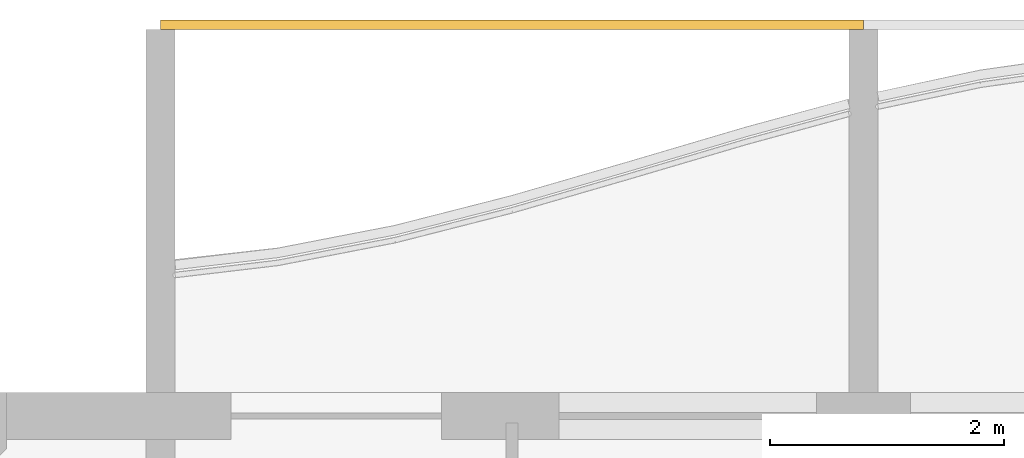
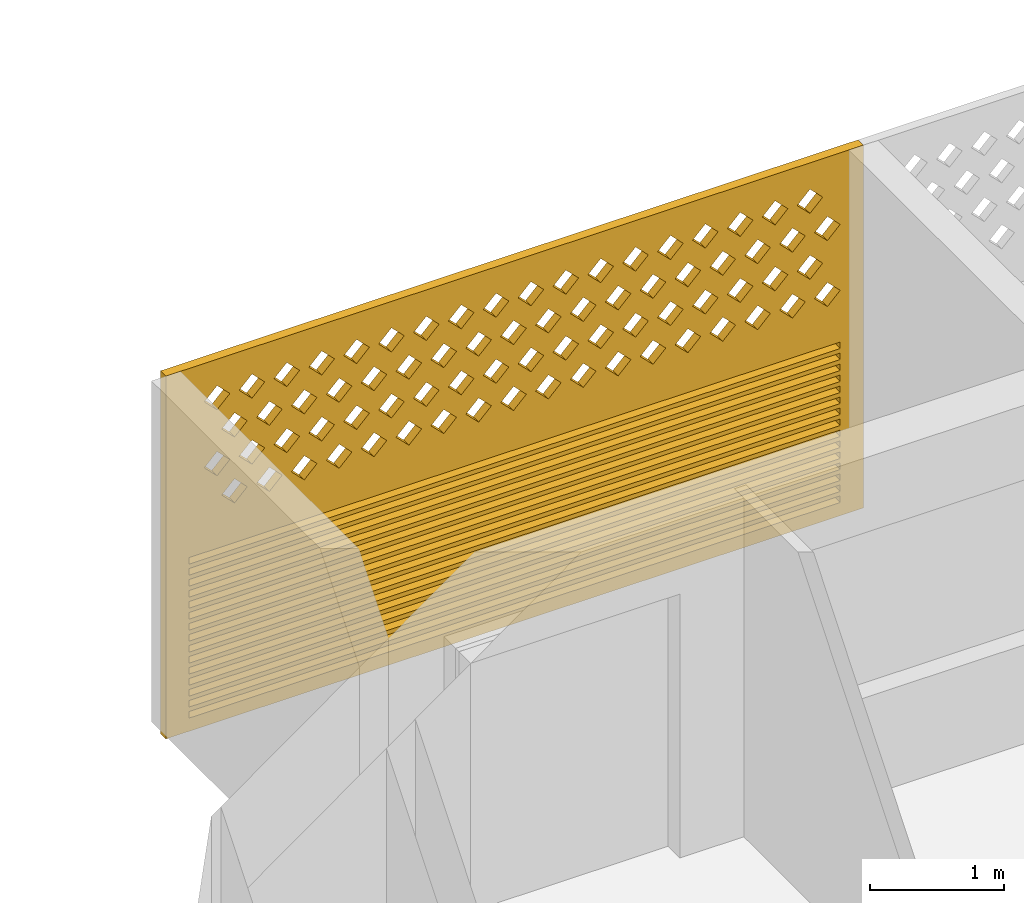
# One storey, part 16 of 28: 1 covering.
"""IFC4 building model written with IfcOpenShell, lengths in metres."""

from ifc_helpers import new_model, si_unit, direction, frame, origin, place, context, subcontext, project, spatial, polyline, outline, extrude, source, transform, mapped, material, material_profile, profile_set, type_object, element, save


model = new_model("IFC4")

# Units and contexts
model_context = context("Model", 3, precision=1e-05, world=origin(), true_north=direction((0.0, 1.0)))
body_context = subcontext(model_context, "Body", "Model", "MODEL_VIEW")
ifc_project = project(units=[si_unit("LENGTHUNIT", "METRE"), si_unit("AREAUNIT", "SQUARE_METRE"), si_unit("VOLUMEUNIT", "CUBIC_METRE"), si_unit("PLANEANGLEUNIT", "RADIAN"), si_unit("MASSUNIT", "GRAM", prefix="KILO")], contexts=[model_context])

# Site, building, storey
site_placement = place(None, origin())
site = spatial("IfcSite", under=ifc_project, at=site_placement, CompositionType="ELEMENT")
building_placement = place(site_placement, origin())
building = spatial("IfcBuilding", under=site, at=building_placement, Name="Poui Terraces", CompositionType="ELEMENT")
storey_placement = place(building_placement, frame((0.0, 0.0, 185.10009765625)))
storey = spatial("IfcBuildingStorey", under=building, at=storey_placement, Name="L51", CompositionType="ELEMENT", Elevation=185.10009765625)

# Covering
ifc_material = material(Name="Terracotta screen", Category="masonry")
ifc_material_profile = material_profile(ifc_material, outline(polyline([(-3.0, -1.64990234375), (3.0, -1.64990234375), (3.0, 1.64990234375), (-3.0, 1.64990234375), (-3.0, -1.64990234375)]), holes=[polyline([(-2.800048828125, 0.39990234375), (-2.68994140625, 0.2900390625), (-2.580078125, 0.39990234375), (-2.68994140625, 0.510009765625), (-2.800048828125, 0.39990234375)]), polyline([(-2.5, 0.39990234375), (-2.389892578125, 0.2900390625), (-2.280029296875, 0.39990234375), (-2.389892578125, 0.510009765625), (-2.5, 0.39990234375)]), polyline([(-2.199951171875, 0.39990234375), (-2.090087890625, 0.2900390625), (-1.97998046875, 0.39990234375), (-2.090087890625, 0.510009765625), (-2.199951171875, 0.39990234375)]), polyline([(-1.89990234375, 0.39990234375), (-1.7900390625, 0.2900390625), (-1.679931640625, 0.39990234375), (-1.7900390625, 0.510009765625), (-1.89990234375, 0.39990234375)]), polyline([(-1.60009765625, 0.39990234375), (-1.489990234375, 0.2900390625), (-1.3798828125, 0.39990234375), (-1.489990234375, 0.510009765625), (-1.60009765625, 0.39990234375)]), polyline([(-1.300048828125, 0.39990234375), (-1.18994140625, 0.2900390625), (-1.080078125, 0.39990234375), (-1.18994140625, 0.510009765625), (-1.300048828125, 0.39990234375)]), polyline([(-1.0, 0.39990234375), (-0.889892578125, 0.2900390625), (-0.780029296875, 0.39990234375), (-0.889892578125, 0.510009765625), (-1.0, 0.39990234375)]), polyline([(-0.699951171875, 0.39990234375), (-0.590087890625, 0.2900390625), (-0.47998046875, 0.39990234375), (-0.590087890625, 0.510009765625), (-0.699951171875, 0.39990234375)]), polyline([(-0.39990234375, 0.39990234375), (-0.2900390625, 0.2900390625), (-0.179931640625, 0.39990234375), (-0.2900390625, 0.510009765625), (-0.39990234375, 0.39990234375)]), polyline([(-0.10009765625, 0.39990234375), (0.010009765625, 0.2900390625), (0.1201171875, 0.39990234375), (0.010009765625, 0.510009765625), (-0.10009765625, 0.39990234375)]), polyline([(0.199951171875, 0.39990234375), (0.31005859375, 0.2900390625), (0.419921875, 0.39990234375), (0.31005859375, 0.510009765625), (0.199951171875, 0.39990234375)]), polyline([(0.5, 0.39990234375), (0.610107421875, 0.2900390625), (0.719970703125, 0.39990234375), (0.610107421875, 0.510009765625), (0.5, 0.39990234375)]), polyline([(0.800048828125, 0.39990234375), (0.909912109375, 0.2900390625), (1.02001953125, 0.39990234375), (0.909912109375, 0.510009765625), (0.800048828125, 0.39990234375)]), polyline([(1.10009765625, 0.39990234375), (1.2099609375, 0.2900390625), (1.320068359375, 0.39990234375), (1.2099609375, 0.510009765625), (1.10009765625, 0.39990234375)]), polyline([(1.39990234375, 0.39990234375), (1.510009765625, 0.2900390625), (1.6201171875, 0.39990234375), (1.510009765625, 0.510009765625), (1.39990234375, 0.39990234375)]), polyline([(1.699951171875, 0.39990234375), (1.81005859375, 0.2900390625), (1.919921875, 0.39990234375), (1.81005859375, 0.510009765625), (1.699951171875, 0.39990234375)]), polyline([(2.0, 0.39990234375), (2.110107421875, 0.2900390625), (2.219970703125, 0.39990234375), (2.110107421875, 0.510009765625), (2.0, 0.39990234375)]), polyline([(2.300048828125, 0.39990234375), (2.409912109375, 0.2900390625), (2.52001953125, 0.39990234375), (2.409912109375, 0.510009765625), (2.300048828125, 0.39990234375)]), polyline([(-2.64990234375, 0.699951171875), (-2.5400390625, 0.590087890625), (-2.429931640625, 0.699951171875), (-2.5400390625, 0.81005859375), (-2.64990234375, 0.699951171875)]), polyline([(-2.35009765625, 0.699951171875), (-2.239990234375, 0.590087890625), (-2.1298828125, 0.699951171875), (-2.239990234375, 0.81005859375), (-2.35009765625, 0.699951171875)]), polyline([(-2.050048828125, 0.699951171875), (-1.93994140625, 0.590087890625), (-1.830078125, 0.699951171875), (-1.93994140625, 0.81005859375), (-2.050048828125, 0.699951171875)]), polyline([(-1.75, 0.699951171875), (-1.639892578125, 0.590087890625), (-1.530029296875, 0.699951171875), (-1.639892578125, 0.81005859375), (-1.75, 0.699951171875)]), polyline([(-1.449951171875, 0.699951171875), (-1.340087890625, 0.590087890625), (-1.22998046875, 0.699951171875), (-1.340087890625, 0.81005859375), (-1.449951171875, 0.699951171875)]), polyline([(-1.14990234375, 0.699951171875), (-1.0400390625, 0.590087890625), (-0.929931640625, 0.699951171875), (-1.0400390625, 0.81005859375), (-1.14990234375, 0.699951171875)]), polyline([(-0.85009765625, 0.699951171875), (-0.739990234375, 0.590087890625), (-0.6298828125, 0.699951171875), (-0.739990234375, 0.81005859375), (-0.85009765625, 0.699951171875)]), polyline([(-0.550048828125, 0.699951171875), (-0.43994140625, 0.590087890625), (-0.330078125, 0.699951171875), (-0.43994140625, 0.81005859375), (-0.550048828125, 0.699951171875)]), polyline([(-0.25, 0.699951171875), (-0.139892578125, 0.590087890625), (-0.030029296875, 0.699951171875), (-0.139892578125, 0.81005859375), (-0.25, 0.699951171875)]), polyline([(0.050048828125, 0.699951171875), (0.159912109375, 0.590087890625), (0.27001953125, 0.699951171875), (0.159912109375, 0.81005859375), (0.050048828125, 0.699951171875)]), polyline([(0.35009765625, 0.699951171875), (0.4599609375, 0.590087890625), (0.570068359375, 0.699951171875), (0.4599609375, 0.81005859375), (0.35009765625, 0.699951171875)]), polyline([(0.64990234375, 0.699951171875), (0.760009765625, 0.590087890625), (0.8701171875, 0.699951171875), (0.760009765625, 0.81005859375), (0.64990234375, 0.699951171875)]), polyline([(0.949951171875, 0.699951171875), (1.06005859375, 0.590087890625), (1.169921875, 0.699951171875), (1.06005859375, 0.81005859375), (0.949951171875, 0.699951171875)]), polyline([(1.25, 0.699951171875), (1.360107421875, 0.590087890625), (1.469970703125, 0.699951171875), (1.360107421875, 0.81005859375), (1.25, 0.699951171875)]), polyline([(1.550048828125, 0.699951171875), (1.659912109375, 0.590087890625), (1.77001953125, 0.699951171875), (1.659912109375, 0.81005859375), (1.550048828125, 0.699951171875)]), polyline([(1.85009765625, 0.699951171875), (1.9599609375, 0.590087890625), (2.070068359375, 0.699951171875), (1.9599609375, 0.81005859375), (1.85009765625, 0.699951171875)]), polyline([(2.14990234375, 0.699951171875), (2.260009765625, 0.590087890625), (2.3701171875, 0.699951171875), (2.260009765625, 0.81005859375), (2.14990234375, 0.699951171875)]), polyline([(2.449951171875, 0.699951171875), (2.56005859375, 0.590087890625), (2.669921875, 0.699951171875), (2.56005859375, 0.81005859375), (2.449951171875, 0.699951171875)]), polyline([(-2.800048828125, 1.0), (-2.68994140625, 0.889892578125), (-2.580078125, 1.0), (-2.68994140625, 1.110107421875), (-2.800048828125, 1.0)]), polyline([(-2.5, 1.0), (-2.389892578125, 0.889892578125), (-2.280029296875, 1.0), (-2.389892578125, 1.110107421875), (-2.5, 1.0)]), polyline([(-2.199951171875, 1.0), (-2.090087890625, 0.889892578125), (-1.97998046875, 1.0), (-2.090087890625, 1.110107421875), (-2.199951171875, 1.0)]), polyline([(-1.89990234375, 1.0), (-1.7900390625, 0.889892578125), (-1.679931640625, 1.0), (-1.7900390625, 1.110107421875), (-1.89990234375, 1.0)]), polyline([(-1.60009765625, 1.0), (-1.489990234375, 0.889892578125), (-1.3798828125, 1.0), (-1.489990234375, 1.110107421875), (-1.60009765625, 1.0)]), polyline([(-1.300048828125, 1.0), (-1.18994140625, 0.889892578125), (-1.080078125, 1.0), (-1.18994140625, 1.110107421875), (-1.300048828125, 1.0)]), polyline([(-1.0, 1.0), (-0.889892578125, 0.889892578125), (-0.780029296875, 1.0), (-0.889892578125, 1.110107421875), (-1.0, 1.0)]), polyline([(-0.699951171875, 1.0), (-0.590087890625, 0.889892578125), (-0.47998046875, 1.0), (-0.590087890625, 1.110107421875), (-0.699951171875, 1.0)]), polyline([(-0.39990234375, 1.0), (-0.2900390625, 0.889892578125), (-0.179931640625, 1.0), (-0.2900390625, 1.110107421875), (-0.39990234375, 1.0)]), polyline([(-0.10009765625, 1.0), (0.010009765625, 0.889892578125), (0.1201171875, 1.0), (0.010009765625, 1.110107421875), (-0.10009765625, 1.0)]), polyline([(0.199951171875, 1.0), (0.31005859375, 0.889892578125), (0.419921875, 1.0), (0.31005859375, 1.110107421875), (0.199951171875, 1.0)]), polyline([(0.5, 1.0), (0.610107421875, 0.889892578125), (0.719970703125, 1.0), (0.610107421875, 1.110107421875), (0.5, 1.0)]), polyline([(0.800048828125, 1.0), (0.909912109375, 0.889892578125), (1.02001953125, 1.0), (0.909912109375, 1.110107421875), (0.800048828125, 1.0)]), polyline([(1.10009765625, 1.0), (1.2099609375, 0.889892578125), (1.320068359375, 1.0), (1.2099609375, 1.110107421875), (1.10009765625, 1.0)]), polyline([(1.39990234375, 1.0), (1.510009765625, 0.889892578125), (1.6201171875, 1.0), (1.510009765625, 1.110107421875), (1.39990234375, 1.0)]), polyline([(1.699951171875, 1.0), (1.81005859375, 0.889892578125), (1.919921875, 1.0), (1.81005859375, 1.110107421875), (1.699951171875, 1.0)]), polyline([(2.0, 1.0), (2.110107421875, 0.889892578125), (2.219970703125, 1.0), (2.110107421875, 1.110107421875), (2.0, 1.0)]), polyline([(2.300048828125, 1.0), (2.409912109375, 0.889892578125), (2.52001953125, 1.0), (2.409912109375, 1.110107421875), (2.300048828125, 1.0)]), polyline([(-2.64990234375, 1.300048828125), (-2.5400390625, 1.18994140625), (-2.429931640625, 1.300048828125), (-2.5400390625, 1.409912109375), (-2.64990234375, 1.300048828125)]), polyline([(-2.35009765625, 1.300048828125), (-2.239990234375, 1.18994140625), (-2.1298828125, 1.300048828125), (-2.239990234375, 1.409912109375), (-2.35009765625, 1.300048828125)]), polyline([(-2.050048828125, 1.300048828125), (-1.93994140625, 1.18994140625), (-1.830078125, 1.300048828125), (-1.93994140625, 1.409912109375), (-2.050048828125, 1.300048828125)]), polyline([(-1.75, 1.300048828125), (-1.639892578125, 1.18994140625), (-1.530029296875, 1.300048828125), (-1.639892578125, 1.409912109375), (-1.75, 1.300048828125)]), polyline([(-1.449951171875, 1.300048828125), (-1.340087890625, 1.18994140625), (-1.22998046875, 1.300048828125), (-1.340087890625, 1.409912109375), (-1.449951171875, 1.300048828125)]), polyline([(-1.14990234375, 1.300048828125), (-1.0400390625, 1.18994140625), (-0.929931640625, 1.300048828125), (-1.0400390625, 1.409912109375), (-1.14990234375, 1.300048828125)]), polyline([(-0.85009765625, 1.300048828125), (-0.739990234375, 1.18994140625), (-0.6298828125, 1.300048828125), (-0.739990234375, 1.409912109375), (-0.85009765625, 1.300048828125)]), polyline([(-0.550048828125, 1.300048828125), (-0.43994140625, 1.18994140625), (-0.330078125, 1.300048828125), (-0.43994140625, 1.409912109375), (-0.550048828125, 1.300048828125)]), polyline([(-0.25, 1.300048828125), (-0.139892578125, 1.18994140625), (-0.030029296875, 1.300048828125), (-0.139892578125, 1.409912109375), (-0.25, 1.300048828125)]), polyline([(0.050048828125, 1.300048828125), (0.159912109375, 1.18994140625), (0.27001953125, 1.300048828125), (0.159912109375, 1.409912109375), (0.050048828125, 1.300048828125)]), polyline([(0.35009765625, 1.300048828125), (0.4599609375, 1.18994140625), (0.570068359375, 1.300048828125), (0.4599609375, 1.409912109375), (0.35009765625, 1.300048828125)]), polyline([(0.64990234375, 1.300048828125), (0.760009765625, 1.18994140625), (0.8701171875, 1.300048828125), (0.760009765625, 1.409912109375), (0.64990234375, 1.300048828125)]), polyline([(0.949951171875, 1.300048828125), (1.06005859375, 1.18994140625), (1.169921875, 1.300048828125), (1.06005859375, 1.409912109375), (0.949951171875, 1.300048828125)]), polyline([(1.25, 1.300048828125), (1.360107421875, 1.18994140625), (1.469970703125, 1.300048828125), (1.360107421875, 1.409912109375), (1.25, 1.300048828125)]), polyline([(1.550048828125, 1.300048828125), (1.659912109375, 1.18994140625), (1.77001953125, 1.300048828125), (1.659912109375, 1.409912109375), (1.550048828125, 1.300048828125)]), polyline([(1.85009765625, 1.300048828125), (1.9599609375, 1.18994140625), (2.070068359375, 1.300048828125), (1.9599609375, 1.409912109375), (1.85009765625, 1.300048828125)]), polyline([(2.14990234375, 1.300048828125), (2.260009765625, 1.18994140625), (2.3701171875, 1.300048828125), (2.260009765625, 1.409912109375), (2.14990234375, 1.300048828125)]), polyline([(2.449951171875, 1.300048828125), (2.56005859375, 1.18994140625), (2.669921875, 1.300048828125), (2.56005859375, 1.409912109375), (2.449951171875, 1.300048828125)]), polyline([(-2.800048828125, -1.530029296875), (2.800048828125, -1.530029296875), (2.800048828125, -1.469970703125), (-2.800048828125, -1.469970703125), (-2.800048828125, -1.530029296875)]), polyline([(-2.800048828125, -1.429931640625), (2.800048828125, -1.429931640625), (2.800048828125, -1.3701171875), (-2.800048828125, -1.3701171875), (-2.800048828125, -1.429931640625)]), polyline([(-2.800048828125, -1.330078125), (2.800048828125, -1.330078125), (2.800048828125, -1.27001953125), (-2.800048828125, -1.27001953125), (-2.800048828125, -1.330078125)]), polyline([(-2.800048828125, -1.22998046875), (2.800048828125, -1.22998046875), (2.800048828125, -1.169921875), (-2.800048828125, -1.169921875), (-2.800048828125, -1.22998046875)]), polyline([(-2.800048828125, -1.1298828125), (2.800048828125, -1.1298828125), (2.800048828125, -1.070068359375), (-2.800048828125, -1.070068359375), (-2.800048828125, -1.1298828125)]), polyline([(-2.800048828125, -1.030029296875), (2.800048828125, -1.030029296875), (2.800048828125, -0.969970703125), (-2.800048828125, -0.969970703125), (-2.800048828125, -1.030029296875)]), polyline([(-2.800048828125, -0.929931640625), (2.800048828125, -0.929931640625), (2.800048828125, -0.8701171875), (-2.800048828125, -0.8701171875), (-2.800048828125, -0.929931640625)]), polyline([(-2.800048828125, -0.830078125), (2.800048828125, -0.830078125), (2.800048828125, -0.77001953125), (-2.800048828125, -0.77001953125), (-2.800048828125, -0.830078125)]), polyline([(-2.800048828125, -0.72998046875), (2.800048828125, -0.72998046875), (2.800048828125, -0.669921875), (-2.800048828125, -0.669921875), (-2.800048828125, -0.72998046875)]), polyline([(-2.800048828125, -0.6298828125), (2.800048828125, -0.6298828125), (2.800048828125, -0.570068359375), (-2.800048828125, -0.570068359375), (-2.800048828125, -0.6298828125)]), polyline([(-2.800048828125, -0.530029296875), (2.800048828125, -0.530029296875), (2.800048828125, -0.469970703125), (-2.800048828125, -0.469970703125), (-2.800048828125, -0.530029296875)]), polyline([(-2.800048828125, -0.429931640625), (2.800048828125, -0.429931640625), (2.800048828125, -0.3701171875), (-2.800048828125, -0.3701171875), (-2.800048828125, -0.429931640625)]), polyline([(-2.800048828125, -0.330078125), (2.800048828125, -0.330078125), (2.800048828125, -0.27001953125), (-2.800048828125, -0.27001953125), (-2.800048828125, -0.330078125)]), polyline([(-2.800048828125, -0.22998046875), (2.800048828125, -0.22998046875), (2.800048828125, -0.169921875), (-2.800048828125, -0.169921875), (-2.800048828125, -0.22998046875)]), polyline([(-2.800048828125, -0.1298828125), (2.800048828125, -0.1298828125), (2.800048828125, -0.070068359375), (-2.800048828125, -0.070068359375), (-2.800048828125, -0.1298828125)])]), Name="TERRACOTTA SCREEN AND JALOUSIE LOUVRE 6000X3300")
ifc_profile_set = profile_set([ifc_material_profile], Name="Terracotta screen")
covering_type = type_object("IfcCoveringType", Name="TERRACOTTA SCREEN AND JALOUSIE LOUVRE 6000X3300", PredefinedType="CLADDING", material=ifc_profile_set)
shared_shape = source(origin(), body_context, "Body", "SweptSolid", [
    extrude(outline(polyline([(-3.0, -1.64990234375), (3.0, -1.64990234375), (3.0, 1.64990234375), (-3.0, 1.64990234375), (-3.0, -1.64990234375)]), holes=[polyline([(-2.800048828125, 0.39990234375), (-2.68994140625, 0.2900390625), (-2.580078125, 0.39990234375), (-2.68994140625, 0.510009765625), (-2.800048828125, 0.39990234375)]), polyline([(-2.5, 0.39990234375), (-2.389892578125, 0.2900390625), (-2.280029296875, 0.39990234375), (-2.389892578125, 0.510009765625), (-2.5, 0.39990234375)]), polyline([(-2.199951171875, 0.39990234375), (-2.090087890625, 0.2900390625), (-1.97998046875, 0.39990234375), (-2.090087890625, 0.510009765625), (-2.199951171875, 0.39990234375)]), polyline([(-1.89990234375, 0.39990234375), (-1.7900390625, 0.2900390625), (-1.679931640625, 0.39990234375), (-1.7900390625, 0.510009765625), (-1.89990234375, 0.39990234375)]), polyline([(-1.60009765625, 0.39990234375), (-1.489990234375, 0.2900390625), (-1.3798828125, 0.39990234375), (-1.489990234375, 0.510009765625), (-1.60009765625, 0.39990234375)]), polyline([(-1.300048828125, 0.39990234375), (-1.18994140625, 0.2900390625), (-1.080078125, 0.39990234375), (-1.18994140625, 0.510009765625), (-1.300048828125, 0.39990234375)]), polyline([(-1.0, 0.39990234375), (-0.889892578125, 0.2900390625), (-0.780029296875, 0.39990234375), (-0.889892578125, 0.510009765625), (-1.0, 0.39990234375)]), polyline([(-0.699951171875, 0.39990234375), (-0.590087890625, 0.2900390625), (-0.47998046875, 0.39990234375), (-0.590087890625, 0.510009765625), (-0.699951171875, 0.39990234375)]), polyline([(-0.39990234375, 0.39990234375), (-0.2900390625, 0.2900390625), (-0.179931640625, 0.39990234375), (-0.2900390625, 0.510009765625), (-0.39990234375, 0.39990234375)]), polyline([(-0.10009765625, 0.39990234375), (0.010009765625, 0.2900390625), (0.1201171875, 0.39990234375), (0.010009765625, 0.510009765625), (-0.10009765625, 0.39990234375)]), polyline([(0.199951171875, 0.39990234375), (0.31005859375, 0.2900390625), (0.419921875, 0.39990234375), (0.31005859375, 0.510009765625), (0.199951171875, 0.39990234375)]), polyline([(0.5, 0.39990234375), (0.610107421875, 0.2900390625), (0.719970703125, 0.39990234375), (0.610107421875, 0.510009765625), (0.5, 0.39990234375)]), polyline([(0.800048828125, 0.39990234375), (0.909912109375, 0.2900390625), (1.02001953125, 0.39990234375), (0.909912109375, 0.510009765625), (0.800048828125, 0.39990234375)]), polyline([(1.10009765625, 0.39990234375), (1.2099609375, 0.2900390625), (1.320068359375, 0.39990234375), (1.2099609375, 0.510009765625), (1.10009765625, 0.39990234375)]), polyline([(1.39990234375, 0.39990234375), (1.510009765625, 0.2900390625), (1.6201171875, 0.39990234375), (1.510009765625, 0.510009765625), (1.39990234375, 0.39990234375)]), polyline([(1.699951171875, 0.39990234375), (1.81005859375, 0.2900390625), (1.919921875, 0.39990234375), (1.81005859375, 0.510009765625), (1.699951171875, 0.39990234375)]), polyline([(2.0, 0.39990234375), (2.110107421875, 0.2900390625), (2.219970703125, 0.39990234375), (2.110107421875, 0.510009765625), (2.0, 0.39990234375)]), polyline([(2.300048828125, 0.39990234375), (2.409912109375, 0.2900390625), (2.52001953125, 0.39990234375), (2.409912109375, 0.510009765625), (2.300048828125, 0.39990234375)]), polyline([(-2.64990234375, 0.699951171875), (-2.5400390625, 0.590087890625), (-2.429931640625, 0.699951171875), (-2.5400390625, 0.81005859375), (-2.64990234375, 0.699951171875)]), polyline([(-2.35009765625, 0.699951171875), (-2.239990234375, 0.590087890625), (-2.1298828125, 0.699951171875), (-2.239990234375, 0.81005859375), (-2.35009765625, 0.699951171875)]), polyline([(-2.050048828125, 0.699951171875), (-1.93994140625, 0.590087890625), (-1.830078125, 0.699951171875), (-1.93994140625, 0.81005859375), (-2.050048828125, 0.699951171875)]), polyline([(-1.75, 0.699951171875), (-1.639892578125, 0.590087890625), (-1.530029296875, 0.699951171875), (-1.639892578125, 0.81005859375), (-1.75, 0.699951171875)]), polyline([(-1.449951171875, 0.699951171875), (-1.340087890625, 0.590087890625), (-1.22998046875, 0.699951171875), (-1.340087890625, 0.81005859375), (-1.449951171875, 0.699951171875)]), polyline([(-1.14990234375, 0.699951171875), (-1.0400390625, 0.590087890625), (-0.929931640625, 0.699951171875), (-1.0400390625, 0.81005859375), (-1.14990234375, 0.699951171875)]), polyline([(-0.85009765625, 0.699951171875), (-0.739990234375, 0.590087890625), (-0.6298828125, 0.699951171875), (-0.739990234375, 0.81005859375), (-0.85009765625, 0.699951171875)]), polyline([(-0.550048828125, 0.699951171875), (-0.43994140625, 0.590087890625), (-0.330078125, 0.699951171875), (-0.43994140625, 0.81005859375), (-0.550048828125, 0.699951171875)]), polyline([(-0.25, 0.699951171875), (-0.139892578125, 0.590087890625), (-0.030029296875, 0.699951171875), (-0.139892578125, 0.81005859375), (-0.25, 0.699951171875)]), polyline([(0.050048828125, 0.699951171875), (0.159912109375, 0.590087890625), (0.27001953125, 0.699951171875), (0.159912109375, 0.81005859375), (0.050048828125, 0.699951171875)]), polyline([(0.35009765625, 0.699951171875), (0.4599609375, 0.590087890625), (0.570068359375, 0.699951171875), (0.4599609375, 0.81005859375), (0.35009765625, 0.699951171875)]), polyline([(0.64990234375, 0.699951171875), (0.760009765625, 0.590087890625), (0.8701171875, 0.699951171875), (0.760009765625, 0.81005859375), (0.64990234375, 0.699951171875)]), polyline([(0.949951171875, 0.699951171875), (1.06005859375, 0.590087890625), (1.169921875, 0.699951171875), (1.06005859375, 0.81005859375), (0.949951171875, 0.699951171875)]), polyline([(1.25, 0.699951171875), (1.360107421875, 0.590087890625), (1.469970703125, 0.699951171875), (1.360107421875, 0.81005859375), (1.25, 0.699951171875)]), polyline([(1.550048828125, 0.699951171875), (1.659912109375, 0.590087890625), (1.77001953125, 0.699951171875), (1.659912109375, 0.81005859375), (1.550048828125, 0.699951171875)]), polyline([(1.85009765625, 0.699951171875), (1.9599609375, 0.590087890625), (2.070068359375, 0.699951171875), (1.9599609375, 0.81005859375), (1.85009765625, 0.699951171875)]), polyline([(2.14990234375, 0.699951171875), (2.260009765625, 0.590087890625), (2.3701171875, 0.699951171875), (2.260009765625, 0.81005859375), (2.14990234375, 0.699951171875)]), polyline([(2.449951171875, 0.699951171875), (2.56005859375, 0.590087890625), (2.669921875, 0.699951171875), (2.56005859375, 0.81005859375), (2.449951171875, 0.699951171875)]), polyline([(-2.800048828125, 1.0), (-2.68994140625, 0.889892578125), (-2.580078125, 1.0), (-2.68994140625, 1.110107421875), (-2.800048828125, 1.0)]), polyline([(-2.5, 1.0), (-2.389892578125, 0.889892578125), (-2.280029296875, 1.0), (-2.389892578125, 1.110107421875), (-2.5, 1.0)]), polyline([(-2.199951171875, 1.0), (-2.090087890625, 0.889892578125), (-1.97998046875, 1.0), (-2.090087890625, 1.110107421875), (-2.199951171875, 1.0)]), polyline([(-1.89990234375, 1.0), (-1.7900390625, 0.889892578125), (-1.679931640625, 1.0), (-1.7900390625, 1.110107421875), (-1.89990234375, 1.0)]), polyline([(-1.60009765625, 1.0), (-1.489990234375, 0.889892578125), (-1.3798828125, 1.0), (-1.489990234375, 1.110107421875), (-1.60009765625, 1.0)]), polyline([(-1.300048828125, 1.0), (-1.18994140625, 0.889892578125), (-1.080078125, 1.0), (-1.18994140625, 1.110107421875), (-1.300048828125, 1.0)]), polyline([(-1.0, 1.0), (-0.889892578125, 0.889892578125), (-0.780029296875, 1.0), (-0.889892578125, 1.110107421875), (-1.0, 1.0)]), polyline([(-0.699951171875, 1.0), (-0.590087890625, 0.889892578125), (-0.47998046875, 1.0), (-0.590087890625, 1.110107421875), (-0.699951171875, 1.0)]), polyline([(-0.39990234375, 1.0), (-0.2900390625, 0.889892578125), (-0.179931640625, 1.0), (-0.2900390625, 1.110107421875), (-0.39990234375, 1.0)]), polyline([(-0.10009765625, 1.0), (0.010009765625, 0.889892578125), (0.1201171875, 1.0), (0.010009765625, 1.110107421875), (-0.10009765625, 1.0)]), polyline([(0.199951171875, 1.0), (0.31005859375, 0.889892578125), (0.419921875, 1.0), (0.31005859375, 1.110107421875), (0.199951171875, 1.0)]), polyline([(0.5, 1.0), (0.610107421875, 0.889892578125), (0.719970703125, 1.0), (0.610107421875, 1.110107421875), (0.5, 1.0)]), polyline([(0.800048828125, 1.0), (0.909912109375, 0.889892578125), (1.02001953125, 1.0), (0.909912109375, 1.110107421875), (0.800048828125, 1.0)]), polyline([(1.10009765625, 1.0), (1.2099609375, 0.889892578125), (1.320068359375, 1.0), (1.2099609375, 1.110107421875), (1.10009765625, 1.0)]), polyline([(1.39990234375, 1.0), (1.510009765625, 0.889892578125), (1.6201171875, 1.0), (1.510009765625, 1.110107421875), (1.39990234375, 1.0)]), polyline([(1.699951171875, 1.0), (1.81005859375, 0.889892578125), (1.919921875, 1.0), (1.81005859375, 1.110107421875), (1.699951171875, 1.0)]), polyline([(2.0, 1.0), (2.110107421875, 0.889892578125), (2.219970703125, 1.0), (2.110107421875, 1.110107421875), (2.0, 1.0)]), polyline([(2.300048828125, 1.0), (2.409912109375, 0.889892578125), (2.52001953125, 1.0), (2.409912109375, 1.110107421875), (2.300048828125, 1.0)]), polyline([(-2.64990234375, 1.300048828125), (-2.5400390625, 1.18994140625), (-2.429931640625, 1.300048828125), (-2.5400390625, 1.409912109375), (-2.64990234375, 1.300048828125)]), polyline([(-2.35009765625, 1.300048828125), (-2.239990234375, 1.18994140625), (-2.1298828125, 1.300048828125), (-2.239990234375, 1.409912109375), (-2.35009765625, 1.300048828125)]), polyline([(-2.050048828125, 1.300048828125), (-1.93994140625, 1.18994140625), (-1.830078125, 1.300048828125), (-1.93994140625, 1.409912109375), (-2.050048828125, 1.300048828125)]), polyline([(-1.75, 1.300048828125), (-1.639892578125, 1.18994140625), (-1.530029296875, 1.300048828125), (-1.639892578125, 1.409912109375), (-1.75, 1.300048828125)]), polyline([(-1.449951171875, 1.300048828125), (-1.340087890625, 1.18994140625), (-1.22998046875, 1.300048828125), (-1.340087890625, 1.409912109375), (-1.449951171875, 1.300048828125)]), polyline([(-1.14990234375, 1.300048828125), (-1.0400390625, 1.18994140625), (-0.929931640625, 1.300048828125), (-1.0400390625, 1.409912109375), (-1.14990234375, 1.300048828125)]), polyline([(-0.85009765625, 1.300048828125), (-0.739990234375, 1.18994140625), (-0.6298828125, 1.300048828125), (-0.739990234375, 1.409912109375), (-0.85009765625, 1.300048828125)]), polyline([(-0.550048828125, 1.300048828125), (-0.43994140625, 1.18994140625), (-0.330078125, 1.300048828125), (-0.43994140625, 1.409912109375), (-0.550048828125, 1.300048828125)]), polyline([(-0.25, 1.300048828125), (-0.139892578125, 1.18994140625), (-0.030029296875, 1.300048828125), (-0.139892578125, 1.409912109375), (-0.25, 1.300048828125)]), polyline([(0.050048828125, 1.300048828125), (0.159912109375, 1.18994140625), (0.27001953125, 1.300048828125), (0.159912109375, 1.409912109375), (0.050048828125, 1.300048828125)]), polyline([(0.35009765625, 1.300048828125), (0.4599609375, 1.18994140625), (0.570068359375, 1.300048828125), (0.4599609375, 1.409912109375), (0.35009765625, 1.300048828125)]), polyline([(0.64990234375, 1.300048828125), (0.760009765625, 1.18994140625), (0.8701171875, 1.300048828125), (0.760009765625, 1.409912109375), (0.64990234375, 1.300048828125)]), polyline([(0.949951171875, 1.300048828125), (1.06005859375, 1.18994140625), (1.169921875, 1.300048828125), (1.06005859375, 1.409912109375), (0.949951171875, 1.300048828125)]), polyline([(1.25, 1.300048828125), (1.360107421875, 1.18994140625), (1.469970703125, 1.300048828125), (1.360107421875, 1.409912109375), (1.25, 1.300048828125)]), polyline([(1.550048828125, 1.300048828125), (1.659912109375, 1.18994140625), (1.77001953125, 1.300048828125), (1.659912109375, 1.409912109375), (1.550048828125, 1.300048828125)]), polyline([(1.85009765625, 1.300048828125), (1.9599609375, 1.18994140625), (2.070068359375, 1.300048828125), (1.9599609375, 1.409912109375), (1.85009765625, 1.300048828125)]), polyline([(2.14990234375, 1.300048828125), (2.260009765625, 1.18994140625), (2.3701171875, 1.300048828125), (2.260009765625, 1.409912109375), (2.14990234375, 1.300048828125)]), polyline([(2.449951171875, 1.300048828125), (2.56005859375, 1.18994140625), (2.669921875, 1.300048828125), (2.56005859375, 1.409912109375), (2.449951171875, 1.300048828125)]), polyline([(-2.800048828125, -1.530029296875), (2.800048828125, -1.530029296875), (2.800048828125, -1.469970703125), (-2.800048828125, -1.469970703125), (-2.800048828125, -1.530029296875)]), polyline([(-2.800048828125, -1.429931640625), (2.800048828125, -1.429931640625), (2.800048828125, -1.3701171875), (-2.800048828125, -1.3701171875), (-2.800048828125, -1.429931640625)]), polyline([(-2.800048828125, -1.330078125), (2.800048828125, -1.330078125), (2.800048828125, -1.27001953125), (-2.800048828125, -1.27001953125), (-2.800048828125, -1.330078125)]), polyline([(-2.800048828125, -1.22998046875), (2.800048828125, -1.22998046875), (2.800048828125, -1.169921875), (-2.800048828125, -1.169921875), (-2.800048828125, -1.22998046875)]), polyline([(-2.800048828125, -1.1298828125), (2.800048828125, -1.1298828125), (2.800048828125, -1.070068359375), (-2.800048828125, -1.070068359375), (-2.800048828125, -1.1298828125)]), polyline([(-2.800048828125, -1.030029296875), (2.800048828125, -1.030029296875), (2.800048828125, -0.969970703125), (-2.800048828125, -0.969970703125), (-2.800048828125, -1.030029296875)]), polyline([(-2.800048828125, -0.929931640625), (2.800048828125, -0.929931640625), (2.800048828125, -0.8701171875), (-2.800048828125, -0.8701171875), (-2.800048828125, -0.929931640625)]), polyline([(-2.800048828125, -0.830078125), (2.800048828125, -0.830078125), (2.800048828125, -0.77001953125), (-2.800048828125, -0.77001953125), (-2.800048828125, -0.830078125)]), polyline([(-2.800048828125, -0.72998046875), (2.800048828125, -0.72998046875), (2.800048828125, -0.669921875), (-2.800048828125, -0.669921875), (-2.800048828125, -0.72998046875)]), polyline([(-2.800048828125, -0.6298828125), (2.800048828125, -0.6298828125), (2.800048828125, -0.570068359375), (-2.800048828125, -0.570068359375), (-2.800048828125, -0.6298828125)]), polyline([(-2.800048828125, -0.530029296875), (2.800048828125, -0.530029296875), (2.800048828125, -0.469970703125), (-2.800048828125, -0.469970703125), (-2.800048828125, -0.530029296875)]), polyline([(-2.800048828125, -0.429931640625), (2.800048828125, -0.429931640625), (2.800048828125, -0.3701171875), (-2.800048828125, -0.3701171875), (-2.800048828125, -0.429931640625)]), polyline([(-2.800048828125, -0.330078125), (2.800048828125, -0.330078125), (2.800048828125, -0.27001953125), (-2.800048828125, -0.27001953125), (-2.800048828125, -0.330078125)]), polyline([(-2.800048828125, -0.22998046875), (2.800048828125, -0.22998046875), (2.800048828125, -0.169921875), (-2.800048828125, -0.169921875), (-2.800048828125, -0.22998046875)]), polyline([(-2.800048828125, -0.1298828125), (2.800048828125, -0.1298828125), (2.800048828125, -0.070068359375), (-2.800048828125, -0.070068359375), (-2.800048828125, -0.1298828125)])]), origin(), (0.0, 0.0, 1.0), 0.080078125),
])
covering_placement = place(storey_placement, frame((27.0, 44.5, 1.449951171875), z_axis=(0.0, 1.0, 0.0), x_axis=(-1.0, 0.0, 0.0)))
element("IfcCovering", 1, at=covering_placement, inside=storey, type_object=covering_type, Name="SOLAR SCREEN AND JALOUSIE LOUVRE", PredefinedType="CLADDING", context=body_context, shape_type="MappedRepresentation", body=[
    mapped(shared_shape, transform((0.0, 0.0, 0.0))),
])

save(model, "model.ifc")
